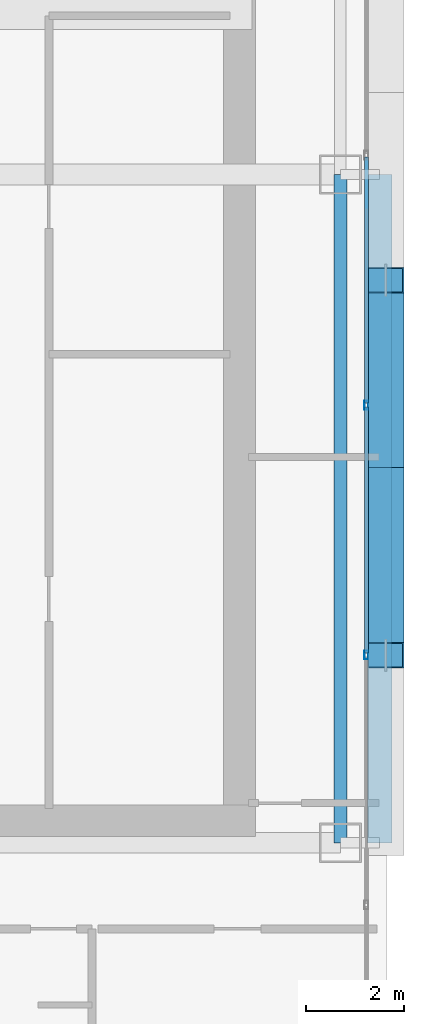
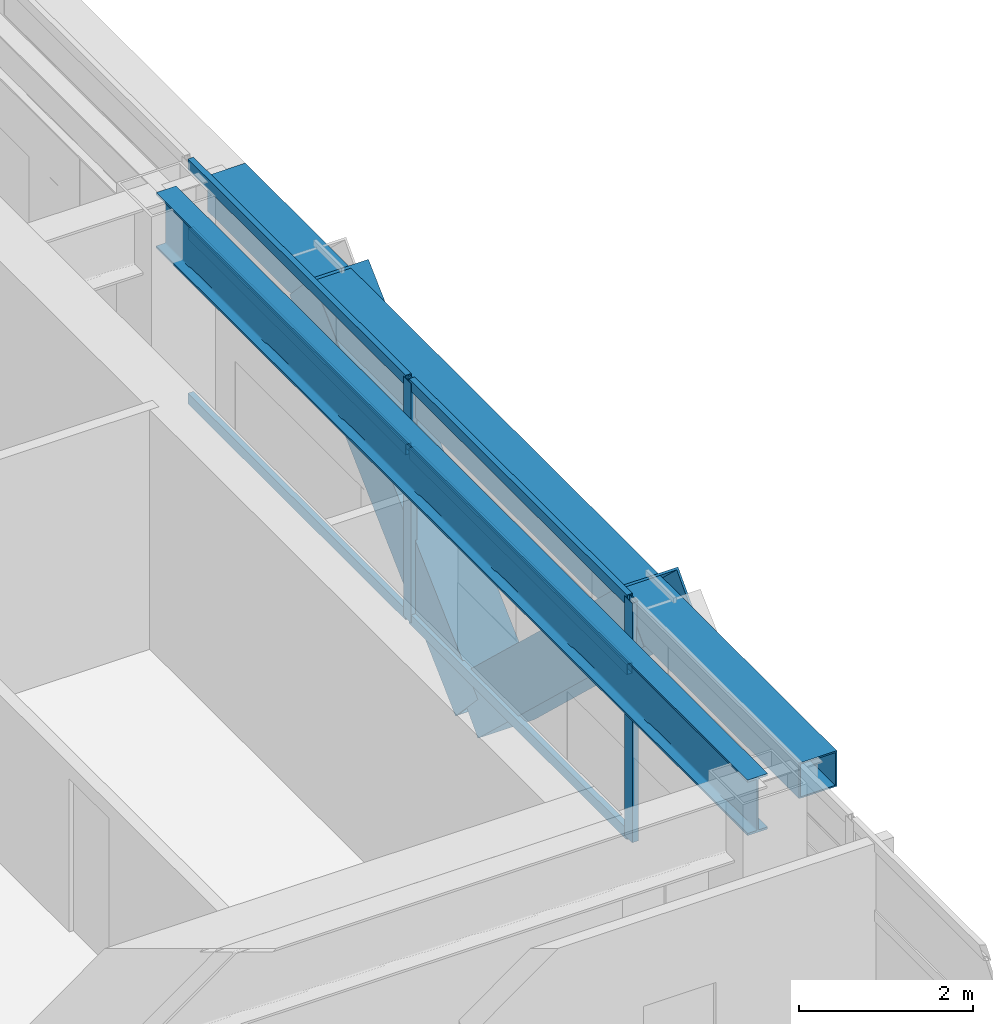
# One storey, part 16 of 39: 10 members, 2 beams, 1 element without a shape of its own.
"""IFC4 building model written with IfcOpenShell, lengths in metres."""

from ifc_helpers import new_model, si_unit, direction, frame, origin, origin_2d, place, context, subcontext, project, spatial, hollow_rectangle, i_section, extrude, source, transform, mapped, material, layer, layer_set, material_profile, profile_set, type_object, element, aggregate, save


model = new_model("IFC4")

# Units and contexts
model_context = context("Model", 3, precision=1e-05, world=origin(), true_north=direction((0.0, 1.0)))
body_context = subcontext(model_context, "Body", "Model", "MODEL_VIEW")
ifc_project = project(units=[si_unit("LENGTHUNIT", "METRE"), si_unit("AREAUNIT", "SQUARE_METRE"), si_unit("VOLUMEUNIT", "CUBIC_METRE"), si_unit("PLANEANGLEUNIT", "RADIAN"), si_unit("MASSUNIT", "GRAM", prefix="KILO")], contexts=[model_context])

# Site, building, storey
site_placement = place(None, origin())
site = spatial("IfcSite", under=ifc_project, at=site_placement, CompositionType="ELEMENT")
building_placement = place(site_placement, origin())
building = spatial("IfcBuilding", under=site, at=building_placement, Name="Ocotamira Hotel", CompositionType="ELEMENT")
storey_placement = place(building_placement, frame((0.0, 0.0, 104.39990234375)))
storey = spatial("IfcBuildingStorey", under=building, at=storey_placement, Name="L25", CompositionType="ELEMENT", Elevation=104.39990234375)

# Beams
ifc_material_1 = material(Name="Steel ASTM A992 Grade 50", Category="steel")
ifc_material_profile_1 = material_profile(ifc_material_1, i_section(OverallWidth=0.26611328125, OverallDepth=0.779052734375, WebThickness=0.0166015625, FlangeThickness=0.030029296875, FilletRadius=0.01806640625, at=origin_2d()), Name="W30X148")
ifc_profile_set_1 = profile_set([ifc_material_profile_1], Name="Steel ASTM A992 Grade 50")
beam_type_1 = type_object("IfcBeamType", Name="BM-GIRD-W30X148", PredefinedType="BEAM", material=ifc_profile_set_1)
shared_shape_1 = source(origin(), body_context, "Body", "SweptSolid", [
    extrude(i_section(OverallWidth=0.26611328125, OverallDepth=0.779052734375, WebThickness=0.0166015625, FlangeThickness=0.030029296875, FilletRadius=0.01806640625, at=origin_2d()), origin(), (0.0, 0.0, 1.0), 13.599853515625),
])
beam_1_placement = place(storey_placement, frame((55.050048828125, 14.550048828125, 2.970703125), z_axis=(0.0, 1.0, 0.0), x_axis=(-1.0, 0.0, 0.0)))
element("IfcBeam", 1, at=beam_1_placement, inside=storey, type_object=beam_type_1, Name="L25 Beam X55.05 Y14.55-28.15", PredefinedType="BEAM", context=body_context, shape_type="MappedRepresentation", body=[
    mapped(shared_shape_1, transform((0.0, 0.0, 0.0), scale=1.0)),
])
ifc_material_2 = material(Name="Steel ASTM A500 Grade C", Category="steel")
ifc_material_profile_2 = material_profile(ifc_material_2, hollow_rectangle(XDim=0.5, YDim=0.5, WallThickness=0.02001953125, at=origin_2d()), Name="HSS500X500X20")
ifc_profile_set_2 = profile_set([ifc_material_profile_2], Name="Steel ASTM A500 Grade C")
beam_type_2 = type_object("IfcBeamType", Name="BM-SPAN-HSS500", PredefinedType="USERDEFINED", material=ifc_profile_set_2)
shared_shape_2 = source(origin(), body_context, "Body", "SweptSolid", [
    extrude(hollow_rectangle(XDim=0.5, YDim=0.5, WallThickness=0.02001953125, at=origin_2d()), origin(), (0.0, 0.0, 1.0), 13.599853515625),
])
beam_2_placement = place(storey_placement, frame((55.85009765625, 14.550048828125, 3.110107421875), z_axis=(0.0, 1.0, 0.0), x_axis=(-1.0, 0.0, 0.0)))
element("IfcBeam", 2, at=beam_2_placement, inside=storey, type_object=beam_type_2, Name="L25 Edge Spandrel E Y14.55-28.15", ObjectType="SPANDREL", PredefinedType="USERDEFINED", context=body_context, shape_type="MappedRepresentation", body=[
    mapped(shared_shape_2, transform((0.0, 0.0, 0.0), scale=1.0)),
])

# Members
ifc_material_3 = material(Name="Pale-metal coated steel ASTM A913 Grade 65", Category="steel")
ifc_material_profile_3 = material_profile(ifc_material_3, hollow_rectangle(XDim=0.75, YDim=0.75, WallThickness=0.028076171875, at=origin_2d()), Name="BOX750X750X28")
ifc_profile_set_3 = profile_set([ifc_material_profile_3], Name="Pale-metal coated steel ASTM A913 Grade 65")
member_type_1 = type_object("IfcMemberType", Name="MEM-EXO-BOX750", PredefinedType="BRACE", material=ifc_profile_set_3)
shared_shape_3 = source(origin(), body_context, "Body", "SweptSolid", [
    extrude(hollow_rectangle(XDim=0.75, YDim=0.75, WallThickness=0.028076171875, at=origin_2d()), origin(), (0.0, 0.0, 1.0), 5.24658203125),
])
for number, where, z_axis, x_axis, name in (
    (3, (55.969970703125, 22.183349609375, -0.489990234375), (0.0, -0.727442733726, 0.686168397078), (1.0, 0.0, 0.0), "L25 Exoskeleton Diagrid E0.2"),
    (4, (55.969970703125, 22.183349609375, -0.489990234375), (0.0, 0.727442733726, 0.686168397078), (-1.0, 0.0, 0.0), "L25 Exoskeleton Diagrid E1.1"),
):
    element("IfcMember", number, at=place(storey_placement, frame(where, z_axis=z_axis, x_axis=x_axis)), inside=storey, type_object=member_type_1, Name=name, PredefinedType="BRACE", context=body_context, shape_type="MappedRepresentation", body=[
        mapped(shared_shape_3, transform((0.0, 0.0, 0.0), scale=1.0)),
    ])

# Curtain wall, members
ifc_material_4 = material(Name="Anodised pale-metal aluminium and solar glass", Category="aluminium")
ifc_layer = layer(ifc_material_4, 0.179931640625)
ifc_layer_set = layer_set([ifc_layer], Name="Anodised pale-metal aluminium and solar glass")
curtain_wall_type = type_object("IfcCurtainWallType", Name="CW-SYS3-Z2", PredefinedType="NOTDEFINED", material=ifc_layer_set)
curtain_wall_placement = place(storey_placement, origin())
curtain_wall = element("IfcCurtainWall", 5, at=curtain_wall_placement, inside=storey, type_object=curtain_wall_type, Name="L25 Curtain Wall CW-3 CW-L25-E", PredefinedType="NOTDEFINED")
ifc_material_5 = material(Name="Anodised pale-metal aluminium 6063-T6", Category="aluminium")
ifc_material_profile_4 = material_profile(ifc_material_5, hollow_rectangle(XDim=0.074951171875, YDim=0.14990234375, WallThickness=0.006103515625, at=origin_2d()), Name="HSS150X75X6")
ifc_profile_set_4 = profile_set([ifc_material_profile_4], Name="Anodised pale-metal aluminium 6063-T6")
member_type_2 = type_object("IfcMemberType", Name="CWT-150X75", PredefinedType="USERDEFINED", material=ifc_profile_set_4)
shared_shape_4 = source(origin(), body_context, "Body", "SweptSolid", [
    extrude(hollow_rectangle(XDim=0.074951171875, YDim=0.14990234375, WallThickness=0.006103515625, at=origin_2d()), origin(), (0.0, 0.0, 1.0), 5.005859375),
])
member_1_placement = place(storey_placement, frame((55.580078125, 18.411376953125, 0.03759765625), z_axis=(0.0, 1.0, 0.0), x_axis=(-1.0, 0.0, 0.0)))
member_1 = element("IfcMember", 6, at=member_1_placement, type_object=member_type_2, Name="CW-3 transom 3.1", ObjectType="TRANSOM", PredefinedType="USERDEFINED", context=body_context, shape_type="MappedRepresentation", body=[
    mapped(shared_shape_4, transform((0.0, 0.0, 0.0), scale=1.0)),
])
member_2_placement = place(storey_placement, frame((55.580078125, 18.411376953125, 2.35009765625), z_axis=(0.0, 1.0, 0.0), x_axis=(-1.0, 0.0, 0.0)))
member_2 = element("IfcMember", 7, at=member_2_placement, type_object=member_type_2, Name="CW-3 transom 3.2", ObjectType="TRANSOM", PredefinedType="USERDEFINED", context=body_context, shape_type="MappedRepresentation", body=[
    mapped(shared_shape_4, transform((0.0, 0.0, 0.0), scale=1.0)),
])
member_3_placement = place(storey_placement, frame((55.580078125, 18.411376953125, 3.322509765625), z_axis=(0.0, 1.0, 0.0), x_axis=(-1.0, 0.0, 0.0)))
member_3 = element("IfcMember", 8, at=member_3_placement, type_object=member_type_2, Name="CW-3 transom 3.3", ObjectType="TRANSOM", PredefinedType="USERDEFINED", context=body_context, shape_type="MappedRepresentation", body=[
    mapped(shared_shape_4, transform((0.0, 0.0, 0.0), scale=1.0)),
])
member_4_placement = place(storey_placement, frame((55.580078125, 23.4970703125, 0.03759765625), z_axis=(0.0, 1.0, 0.0), x_axis=(-1.0, 0.0, 0.0)))
member_4 = element("IfcMember", 9, at=member_4_placement, type_object=member_type_2, Name="CW-3 transom 4.1", ObjectType="TRANSOM", PredefinedType="USERDEFINED", context=body_context, shape_type="MappedRepresentation", body=[
    mapped(shared_shape_4, transform((0.0, 0.0, 0.0), scale=1.0)),
])
member_5_placement = place(storey_placement, frame((55.580078125, 23.4970703125, 2.35009765625), z_axis=(0.0, 1.0, 0.0), x_axis=(-1.0, 0.0, 0.0)))
member_5 = element("IfcMember", 10, at=member_5_placement, type_object=member_type_2, Name="CW-3 transom 4.2", ObjectType="TRANSOM", PredefinedType="USERDEFINED", context=body_context, shape_type="MappedRepresentation", body=[
    mapped(shared_shape_4, transform((0.0, 0.0, 0.0), scale=1.0)),
])
member_6_placement = place(storey_placement, frame((55.580078125, 23.4970703125, 3.322509765625), z_axis=(0.0, 1.0, 0.0), x_axis=(-1.0, 0.0, 0.0)))
member_6 = element("IfcMember", 11, at=member_6_placement, type_object=member_type_2, Name="CW-3 transom 4.3", ObjectType="TRANSOM", PredefinedType="USERDEFINED", context=body_context, shape_type="MappedRepresentation", body=[
    mapped(shared_shape_4, transform((0.0, 0.0, 0.0), scale=1.0)),
])
ifc_material_profile_5 = material_profile(ifc_material_5, hollow_rectangle(XDim=0.080078125, YDim=0.179931640625, WallThickness=0.006103515625, at=origin_2d()), Name="HSS180X80X6")
ifc_profile_set_5 = profile_set([ifc_material_profile_5], Name="Anodised pale-metal aluminium 6063-T6")
member_type_3 = type_object("IfcMemberType", Name="CWM-180X75", PredefinedType="MULLION", material=ifc_profile_set_5)
shared_shape_5 = source(origin(), body_context, "Body", "SweptSolid", [
    extrude(hollow_rectangle(XDim=0.080078125, YDim=0.179931640625, WallThickness=0.006103515625, at=origin_2d()), origin(), (0.0, 0.0, 1.0), 3.360107421875),
])
member_7_placement = place(storey_placement, frame((55.580078125, 18.371337890625, 0.0), z_axis=(0.0, 0.0, 1.0), x_axis=(-1.0, 0.0, 0.0)))
member_7 = element("IfcMember", 12, at=member_7_placement, type_object=member_type_3, Name="CW-3 mullion 3", PredefinedType="MULLION", context=body_context, shape_type="MappedRepresentation", body=[
    mapped(shared_shape_5, transform((0.0, 0.0, 0.0), scale=1.0)),
])
member_8_placement = place(storey_placement, frame((55.580078125, 23.45703125, 0.0), z_axis=(0.0, 0.0, 1.0), x_axis=(-1.0, 0.0, 0.0)))
member_8 = element("IfcMember", 13, at=member_8_placement, type_object=member_type_3, Name="CW-3 mullion 4", PredefinedType="MULLION", context=body_context, shape_type="MappedRepresentation", body=[
    mapped(shared_shape_5, transform((0.0, 0.0, 0.0), scale=1.0)),
])
aggregate(curtain_wall, [member_7, member_8, member_1, member_2, member_3, member_4, member_5, member_6])

save(model, "model.ifc")
